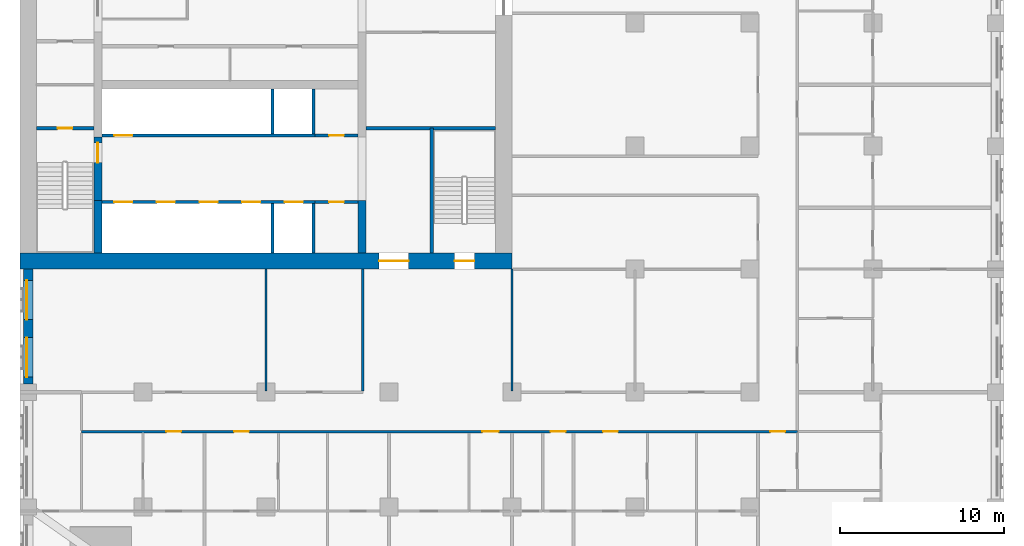
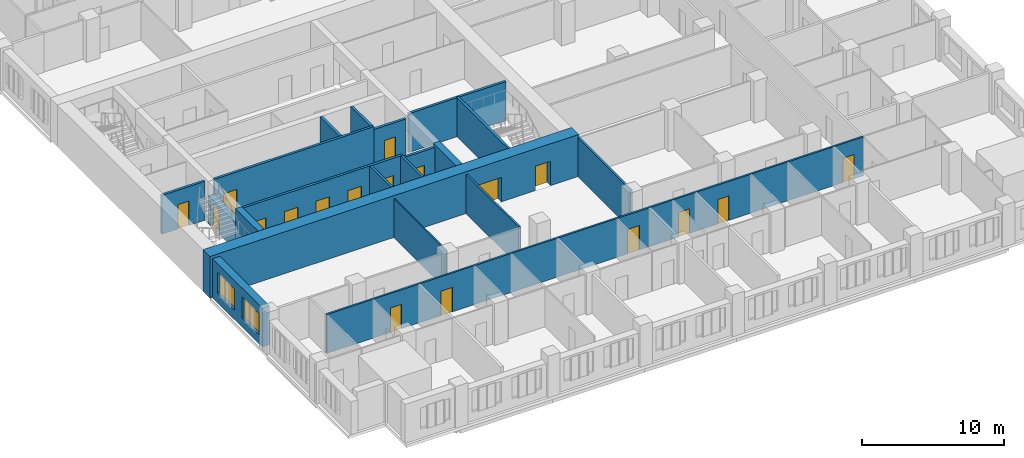
# One storey, part 5 of 14: 20 walls, 18 doors, 2 windows, 20 openings.
"""IFC4 building model written with IfcOpenShell, lengths in metres."""

from ifc_helpers import new_model, si_unit, direction, frame, frame_2d, origin, place, context, subcontext, project, spatial, rectangle, extrude, material, layer, layer_set, type_object, element, fill, save


model = new_model("IFC4")

# Units and contexts
model_context = context("Model", 3, precision=1e-05, world=origin(), true_north=direction((0.0, 1.0)))
body_context = subcontext(model_context, "Body", "Model", "MODEL_VIEW")
ifc_project = project(units=[si_unit("LENGTHUNIT", "METRE"), si_unit("AREAUNIT", "SQUARE_METRE"), si_unit("VOLUMEUNIT", "CUBIC_METRE"), si_unit("PLANEANGLEUNIT", "RADIAN"), si_unit("MASSUNIT", "GRAM", prefix="KILO")], contexts=[model_context])

# Site, building, storey
site_placement = place(None, origin())
site = spatial("IfcSite", under=ifc_project, at=site_placement, CompositionType="ELEMENT")
building_placement = place(site_placement, origin())
building = spatial("IfcBuilding", under=site, at=building_placement, Name="Tamorin Gate", CompositionType="ELEMENT")
storey_placement = place(building_placement, frame((0.0, 0.0, 79.10009765625)))
storey = spatial("IfcBuildingStorey", under=building, at=storey_placement, Name="L18", CompositionType="ELEMENT", Elevation=79.10009765625)

# Wall, openings, windows
ifc_material_1 = material(Name="Precast concrete C40/50", Category="concrete")
ifc_layer_1 = layer(ifc_material_1, 0.60009765625)
ifc_layer_set_1 = layer_set([ifc_layer_1], Name="Precast concrete C40/50")
wall_type_1 = type_object("IfcWallType", Name="Board-marked concrete facade panel 600", PredefinedType="SOLIDWALL", material=ifc_layer_set_1)
wall_1_placement = place(storey_placement, frame((30.5, 60.0, 0.0), z_axis=(0.0, 0.0, 1.0), x_axis=(0.0, -1.0, 0.0)))
wall_1 = element("IfcWall", 1, at=wall_1_placement, inside=storey, type_object=wall_type_1, Name="Facade panel", PredefinedType="SOLIDWALL", context=body_context, shape_type="SweptSolid", body=[
    extrude(rectangle(XDim=7.0, YDim=0.60009765625, at=frame_2d((3.5, 0.0))), origin(), (0.0, 0.0, 1.0), 3.349853515625),
])
opening_1_placement = place(wall_1_placement, frame((4.175048828125, 0.0, 0.800048828125)))
opening_1 = element("IfcOpeningElement", 2, at=opening_1_placement, cuts=wall_1, Name="Opening WN1", PredefinedType="OPENING", context=body_context, shape_type="SweptSolid", body=[
    extrude(rectangle(XDim=2.39990234375, YDim=1.800048828125, at=frame_2d((1.199951171875, 0.89990234375))), frame((0.0, 0.31005859375, 0.0), z_axis=(0.0, -1.0, 0.0), x_axis=(1.0, 0.0, 0.0)), (0.0, 0.0, 1.0), 0.6201171875),
])
opening_2_placement = place(wall_1_placement, frame((0.675048828125, 0.0, 0.800048828125)))
opening_2 = element("IfcOpeningElement", 3, at=opening_2_placement, cuts=wall_1, Name="Opening WN1", PredefinedType="OPENING", context=body_context, shape_type="SweptSolid", body=[
    extrude(rectangle(XDim=2.39990234375, YDim=1.800048828125, at=frame_2d((1.199951171875, 0.89990234375))), frame((0.0, 0.31005859375, 0.0), z_axis=(0.0, -1.0, 0.0), x_axis=(1.0, 0.0, 0.0)), (0.0, 0.0, 1.0), 0.6201171875),
])
ifc_material_2 = material(Name="Clear glass in aluminium frame", Category="aluminium")
window_type = type_object("IfcWindowType", Name="Deep-set window 2400x1800", PartitioningType="SINGLE_PANEL", PredefinedType="WINDOW", material=ifc_material_2)
window_1_placement = place(opening_1_placement, origin())
window_1 = element("IfcWindow", 4, at=window_1_placement, inside=storey, type_object=window_type, Name="Deep-set window", OverallHeight=1.800048828125, OverallWidth=2.39990234375, PartitioningType="SINGLE_PANEL", PredefinedType="WINDOW", context=body_context, shape_type="SweptSolid", body=[
    extrude(rectangle(XDim=2.39990234375, YDim=1.800048828125, at=frame_2d((1.199951171875, 0.89990234375))), frame((0.0, -0.070068359375, 0.0), z_axis=(0.0, -1.0, 0.0), x_axis=(1.0, 0.0, 0.0)), (0.0, 0.0, 1.0), 0.06005859375),
])
fill(opening_1, window_1)
window_2_placement = place(opening_2_placement, origin())
window_2 = element("IfcWindow", 5, at=window_2_placement, inside=storey, type_object=window_type, Name="Deep-set window", OverallHeight=1.800048828125, OverallWidth=2.39990234375, PartitioningType="SINGLE_PANEL", PredefinedType="WINDOW", context=body_context, shape_type="SweptSolid", body=[
    extrude(rectangle(XDim=2.39990234375, YDim=1.800048828125, at=frame_2d((1.199951171875, 0.89990234375))), frame((0.0, -0.070068359375, 0.0), z_axis=(0.0, -1.0, 0.0), x_axis=(1.0, 0.0, 0.0)), (0.0, 0.0, 1.0), 0.06005859375),
])
fill(opening_2, window_2)

# Wall, openings, doors
ifc_material_3 = material(Name="Gypsum board partition")
ifc_layer_2 = layer(ifc_material_3, 0.14990234375)
ifc_layer_set_2 = layer_set([ifc_layer_2], Name="Corridor wall 150")
wall_type_2 = type_object("IfcWallType", Name="Corridor wall 150", PredefinedType="PARTITIONING", material=ifc_layer_set_2)
wall_2_placement = place(storey_placement, frame((33.75, 50.10009765625, 0.0), z_axis=(0.0, 0.0, 1.0), x_axis=(1.0, 0.0, 0.0)))
wall_2 = element("IfcWall", 6, at=wall_2_placement, inside=storey, type_object=wall_type_2, Name="Corridor wall 150", PredefinedType="PARTITIONING", context=body_context, shape_type="SweptSolid", body=[
    extrude(rectangle(XDim=43.64990234375, YDim=0.14990234375, at=frame_2d((21.824951171875, 0.0))), origin(), (0.0, 0.0, 1.0), 3.349853515625),
])
opening_3_placement = place(wall_2_placement, frame((5.175048828125, 0.0, 0.0)))
opening_3 = element("IfcOpeningElement", 7, at=opening_3_placement, cuts=wall_2, Name="Opening DH5003", PredefinedType="OPENING", context=body_context, shape_type="SweptSolid", body=[
    extrude(rectangle(XDim=0.89990234375, YDim=2.10009765625, at=frame_2d((0.449951171875, 1.050048828125))), frame((0.0, 0.0849609375, 0.0), z_axis=(0.0, -1.0, 0.0), x_axis=(1.0, 0.0, 0.0)), (0.0, 0.0, 1.0), 0.169921875),
])
opening_4_placement = place(wall_2_placement, frame((9.300048828125, 0.0, 0.0)))
opening_4 = element("IfcOpeningElement", 8, at=opening_4_placement, cuts=wall_2, Name="Opening DH5005", PredefinedType="OPENING", context=body_context, shape_type="SweptSolid", body=[
    extrude(rectangle(XDim=0.89990234375, YDim=2.10009765625, at=frame_2d((0.449951171875, 1.050048828125))), frame((0.0, 0.0849609375, 0.0), z_axis=(0.0, -1.0, 0.0), x_axis=(1.0, 0.0, 0.0)), (0.0, 0.0, 1.0), 0.169921875),
])
opening_5_placement = place(wall_2_placement, frame((24.4375, 0.0, 0.0)))
opening_5 = element("IfcOpeningElement", 9, at=opening_5_placement, cuts=wall_2, Name="Opening DH5011", PredefinedType="OPENING", context=body_context, shape_type="SweptSolid", body=[
    extrude(rectangle(XDim=1.0, YDim=2.10009765625, at=frame_2d((0.5, 1.050048828125))), frame((0.0, 0.0849609375, 0.0), z_axis=(0.0, -1.0, 0.0), x_axis=(1.0, 0.0, 0.0)), (0.0, 0.0, 1.0), 0.169921875),
])
opening_6_placement = place(wall_2_placement, frame((28.612548828125, 0.0, 0.0)))
opening_6 = element("IfcOpeningElement", 10, at=opening_6_placement, cuts=wall_2, Name="Opening DH5014", PredefinedType="OPENING", context=body_context, shape_type="SweptSolid", body=[
    extrude(rectangle(XDim=0.89990234375, YDim=2.10009765625, at=frame_2d((0.449951171875, 1.050048828125))), frame((0.0, 0.0849609375, 0.0), z_axis=(0.0, -1.0, 0.0), x_axis=(1.0, 0.0, 0.0)), (0.0, 0.0, 1.0), 0.169921875),
])
opening_7_placement = place(wall_2_placement, frame((31.800048828125, 0.0, 0.0)))
opening_7 = element("IfcOpeningElement", 11, at=opening_7_placement, cuts=wall_2, Name="Opening DH5016", PredefinedType="OPENING", context=body_context, shape_type="SweptSolid", body=[
    extrude(rectangle(XDim=0.89990234375, YDim=2.10009765625, at=frame_2d((0.449951171875, 1.050048828125))), frame((0.0, 0.0849609375, 0.0), z_axis=(0.0, -1.0, 0.0), x_axis=(1.0, 0.0, 0.0)), (0.0, 0.0, 1.0), 0.169921875),
])
opening_8_placement = place(wall_2_placement, frame((42.0, 0.0, 0.0)))
opening_8 = element("IfcOpeningElement", 12, at=opening_8_placement, cuts=wall_2, Name="Opening DH5060", PredefinedType="OPENING", context=body_context, shape_type="SweptSolid", body=[
    extrude(rectangle(XDim=0.89990234375, YDim=2.10009765625, at=frame_2d((0.449951171875, 1.050048828125))), frame((0.0, 0.0849609375, 0.0), z_axis=(0.0, -1.0, 0.0), x_axis=(1.0, 0.0, 0.0)), (0.0, 0.0, 1.0), 0.169921875),
])
ifc_material_4 = material(Name="Timber door leaf", Category="wood")
door_type_1 = type_object("IfcDoorType", Name="Door 1000 x 2100 FD30S", OperationType="NOTDEFINED", PredefinedType="DOOR", material=ifc_material_4)
door_1_placement = place(opening_5_placement, origin())
door_1 = element("IfcDoor", 13, at=door_1_placement, inside=storey, type_object=door_type_1, Name="Door DH5011", OperationType="SINGLE_SWING_RIGHT", OverallHeight=2.10009765625, OverallWidth=1.0, PredefinedType="DOOR", context=body_context, shape_type="SweptSolid", body=[
    extrude(rectangle(XDim=1.0, YDim=2.10009765625, at=frame_2d((0.5, 1.050048828125))), frame((0.0, 0.02490234375, 0.0), z_axis=(0.0, -1.0, 0.0), x_axis=(1.0, 0.0, 0.0)), (0.0, 0.0, 1.0), 0.050048828125),
])
fill(opening_5, door_1)
door_type_2 = type_object("IfcDoorType", Name="Door 900 x 2100 FD30S", OperationType="NOTDEFINED", PredefinedType="DOOR", material=ifc_material_4)
door_2_placement = place(opening_3_placement, origin())
door_2 = element("IfcDoor", 14, at=door_2_placement, inside=storey, type_object=door_type_2, Name="Door DH5003", OperationType="SINGLE_SWING_RIGHT", OverallHeight=2.10009765625, OverallWidth=0.89990234375, PredefinedType="DOOR", context=body_context, shape_type="SweptSolid", body=[
    extrude(rectangle(XDim=0.89990234375, YDim=2.10009765625, at=frame_2d((0.449951171875, 1.050048828125))), frame((0.0, 0.02490234375, 0.0), z_axis=(0.0, -1.0, 0.0), x_axis=(1.0, 0.0, 0.0)), (0.0, 0.0, 1.0), 0.050048828125),
])
fill(opening_3, door_2)
door_3_placement = place(opening_4_placement, origin())
door_3 = element("IfcDoor", 15, at=door_3_placement, inside=storey, type_object=door_type_2, Name="Door DH5005", OperationType="SINGLE_SWING_RIGHT", OverallHeight=2.10009765625, OverallWidth=0.89990234375, PredefinedType="DOOR", context=body_context, shape_type="SweptSolid", body=[
    extrude(rectangle(XDim=0.89990234375, YDim=2.10009765625, at=frame_2d((0.449951171875, 1.050048828125))), frame((0.0, 0.02490234375, 0.0), z_axis=(0.0, -1.0, 0.0), x_axis=(1.0, 0.0, 0.0)), (0.0, 0.0, 1.0), 0.050048828125),
])
fill(opening_4, door_3)
door_4_placement = place(opening_6_placement, origin())
door_4 = element("IfcDoor", 16, at=door_4_placement, inside=storey, type_object=door_type_2, Name="Door DH5014", OperationType="SINGLE_SWING_RIGHT", OverallHeight=2.10009765625, OverallWidth=0.89990234375, PredefinedType="DOOR", context=body_context, shape_type="SweptSolid", body=[
    extrude(rectangle(XDim=0.89990234375, YDim=2.10009765625, at=frame_2d((0.449951171875, 1.050048828125))), frame((0.0, 0.02490234375, 0.0), z_axis=(0.0, -1.0, 0.0), x_axis=(1.0, 0.0, 0.0)), (0.0, 0.0, 1.0), 0.050048828125),
])
fill(opening_6, door_4)
door_5_placement = place(opening_7_placement, origin())
door_5 = element("IfcDoor", 17, at=door_5_placement, inside=storey, type_object=door_type_2, Name="Door DH5016", OperationType="SINGLE_SWING_RIGHT", OverallHeight=2.10009765625, OverallWidth=0.89990234375, PredefinedType="DOOR", context=body_context, shape_type="SweptSolid", body=[
    extrude(rectangle(XDim=0.89990234375, YDim=2.10009765625, at=frame_2d((0.449951171875, 1.050048828125))), frame((0.0, 0.02490234375, 0.0), z_axis=(0.0, -1.0, 0.0), x_axis=(1.0, 0.0, 0.0)), (0.0, 0.0, 1.0), 0.050048828125),
])
fill(opening_7, door_5)
door_6_placement = place(opening_8_placement, origin())
door_6 = element("IfcDoor", 18, at=door_6_placement, inside=storey, type_object=door_type_2, Name="Door DH5060", OperationType="SINGLE_SWING_LEFT", OverallHeight=2.10009765625, OverallWidth=0.89990234375, PredefinedType="DOOR", context=body_context, shape_type="SweptSolid", body=[
    extrude(rectangle(XDim=0.89990234375, YDim=2.10009765625, at=frame_2d((0.449951171875, 1.050048828125))), frame((0.0, 0.02490234375, 0.0), z_axis=(0.0, -1.0, 0.0), x_axis=(1.0, 0.0, 0.0)), (0.0, 0.0, 1.0), 0.050048828125),
])
fill(opening_8, door_6)

ifc_material_5 = material(Name="Concrete C32/40", Category="concrete")
ifc_layer_3 = layer(ifc_material_5, 0.199951171875)
ifc_layer_set_3 = layer_set([ifc_layer_3], Name="Lift lobby face wall 200 EI 120")
wall_type_3 = type_object("IfcWallType", Name="Lift lobby face wall 200 EI 120", PredefinedType="SOLIDWALL", material=ifc_layer_set_3)
wall_3_placement = place(storey_placement, frame((35.0, 64.10009765625, 0.0), z_axis=(0.0, 0.0, 1.0), x_axis=(1.0, 0.0, 0.0)))
wall_3 = element("IfcWall", 19, at=wall_3_placement, inside=storey, type_object=wall_type_3, Name="Lift lobby face wall", PredefinedType="SOLIDWALL", context=body_context, shape_type="SweptSolid", body=[
    extrude(rectangle(XDim=13.0, YDim=0.199951171875, at=frame_2d((6.5, 0.0))), origin(), (0.0, 0.0, 1.0), 3.599853515625),
])
opening_9_placement = place(wall_3_placement, frame((0.75, 0.0, 0.0)))
opening_9 = element("IfcOpeningElement", 20, at=opening_9_placement, cuts=wall_3, Name="Opening LD1", PredefinedType="OPENING", context=body_context, shape_type="SweptSolid", body=[
    extrude(rectangle(XDim=1.10009765625, YDim=2.10009765625, at=frame_2d((0.550048828125, 1.050048828125))), frame((0.0, 0.10986328125, 0.0), z_axis=(0.0, -1.0, 0.0), x_axis=(1.0, 0.0, 0.0)), (0.0, 0.0, 1.0), 0.219970703125),
])
opening_10_placement = place(wall_3_placement, frame((3.35009765625, 0.0, 0.0)))
opening_10 = element("IfcOpeningElement", 21, at=opening_10_placement, cuts=wall_3, Name="Opening LD2", PredefinedType="OPENING", context=body_context, shape_type="SweptSolid", body=[
    extrude(rectangle(XDim=1.10009765625, YDim=2.10009765625, at=frame_2d((0.550048828125, 1.050048828125))), frame((0.0, 0.10986328125, 0.0), z_axis=(0.0, -1.0, 0.0), x_axis=(1.0, 0.0, 0.0)), (0.0, 0.0, 1.0), 0.219970703125),
])
opening_11_placement = place(wall_3_placement, frame((5.949951171875, 0.0, 0.0)))
opening_11 = element("IfcOpeningElement", 22, at=opening_11_placement, cuts=wall_3, Name="Opening LD3", PredefinedType="OPENING", context=body_context, shape_type="SweptSolid", body=[
    extrude(rectangle(XDim=1.10009765625, YDim=2.10009765625, at=frame_2d((0.550048828125, 1.050048828125))), frame((0.0, 0.10986328125, 0.0), z_axis=(0.0, -1.0, 0.0), x_axis=(1.0, 0.0, 0.0)), (0.0, 0.0, 1.0), 0.219970703125),
])
opening_12_placement = place(wall_3_placement, frame((8.550048828125, 0.0, 0.0)))
opening_12 = element("IfcOpeningElement", 23, at=opening_12_placement, cuts=wall_3, Name="Opening LD4", PredefinedType="OPENING", context=body_context, shape_type="SweptSolid", body=[
    extrude(rectangle(XDim=1.10009765625, YDim=2.10009765625, at=frame_2d((0.550048828125, 1.050048828125))), frame((0.0, 0.10986328125, 0.0), z_axis=(0.0, -1.0, 0.0), x_axis=(1.0, 0.0, 0.0)), (0.0, 0.0, 1.0), 0.219970703125),
])
opening_13_placement = place(wall_3_placement, frame((11.14990234375, 0.0, 0.0)))
opening_13 = element("IfcOpeningElement", 24, at=opening_13_placement, cuts=wall_3, Name="Opening LD5", PredefinedType="OPENING", context=body_context, shape_type="SweptSolid", body=[
    extrude(rectangle(XDim=1.10009765625, YDim=2.10009765625, at=frame_2d((0.550048828125, 1.050048828125))), frame((0.0, 0.10986328125, 0.0), z_axis=(0.0, -1.0, 0.0), x_axis=(1.0, 0.0, 0.0)), (0.0, 0.0, 1.0), 0.219970703125),
])
ifc_material_6 = material(Name="Stainless steel sliding door", Category="steel")
door_type_3 = type_object("IfcDoorType", Name="Lift landing door 1100 x 2100 E 90", OperationType="DOUBLE_DOOR_SLIDING", PredefinedType="DOOR", material=ifc_material_6)
door_7_placement = place(opening_9_placement, origin())
door_7 = element("IfcDoor", 25, at=door_7_placement, inside=storey, type_object=door_type_3, Name="LR1 landing door", OperationType="DOUBLE_DOOR_SLIDING", OverallHeight=2.10009765625, OverallWidth=1.10009765625, PredefinedType="DOOR", context=body_context, shape_type="SweptSolid", body=[
    extrude(rectangle(XDim=1.10009765625, YDim=2.10009765625, at=frame_2d((0.550048828125, 1.050048828125))), frame((0.0, 0.02490234375, 0.0), z_axis=(0.0, -1.0, 0.0), x_axis=(1.0, 0.0, 0.0)), (0.0, 0.0, 1.0), 0.050048828125),
])
fill(opening_9, door_7)
door_8_placement = place(opening_10_placement, origin())
door_8 = element("IfcDoor", 26, at=door_8_placement, inside=storey, type_object=door_type_3, Name="LR2 landing door", OperationType="DOUBLE_DOOR_SLIDING", OverallHeight=2.10009765625, OverallWidth=1.10009765625, PredefinedType="DOOR", context=body_context, shape_type="SweptSolid", body=[
    extrude(rectangle(XDim=1.10009765625, YDim=2.10009765625, at=frame_2d((0.550048828125, 1.050048828125))), frame((0.0, 0.02490234375, 0.0), z_axis=(0.0, -1.0, 0.0), x_axis=(1.0, 0.0, 0.0)), (0.0, 0.0, 1.0), 0.050048828125),
])
fill(opening_10, door_8)
door_9_placement = place(opening_11_placement, origin())
door_9 = element("IfcDoor", 27, at=door_9_placement, inside=storey, type_object=door_type_3, Name="LR3 landing door", OperationType="DOUBLE_DOOR_SLIDING", OverallHeight=2.10009765625, OverallWidth=1.10009765625, PredefinedType="DOOR", context=body_context, shape_type="SweptSolid", body=[
    extrude(rectangle(XDim=1.10009765625, YDim=2.10009765625, at=frame_2d((0.550048828125, 1.050048828125))), frame((0.0, 0.02490234375, 0.0), z_axis=(0.0, -1.0, 0.0), x_axis=(1.0, 0.0, 0.0)), (0.0, 0.0, 1.0), 0.050048828125),
])
fill(opening_11, door_9)
door_10_placement = place(opening_12_placement, origin())
door_10 = element("IfcDoor", 28, at=door_10_placement, inside=storey, type_object=door_type_3, Name="LR4 landing door", OperationType="DOUBLE_DOOR_SLIDING", OverallHeight=2.10009765625, OverallWidth=1.10009765625, PredefinedType="DOOR", context=body_context, shape_type="SweptSolid", body=[
    extrude(rectangle(XDim=1.10009765625, YDim=2.10009765625, at=frame_2d((0.550048828125, 1.050048828125))), frame((0.0, 0.02490234375, 0.0), z_axis=(0.0, -1.0, 0.0), x_axis=(1.0, 0.0, 0.0)), (0.0, 0.0, 1.0), 0.050048828125),
])
fill(opening_12, door_10)
door_11_placement = place(opening_13_placement, origin())
door_11 = element("IfcDoor", 29, at=door_11_placement, inside=storey, type_object=door_type_3, Name="LR5 landing door", OperationType="DOUBLE_DOOR_SLIDING", OverallHeight=2.10009765625, OverallWidth=1.10009765625, PredefinedType="DOOR", context=body_context, shape_type="SweptSolid", body=[
    extrude(rectangle(XDim=1.10009765625, YDim=2.10009765625, at=frame_2d((0.550048828125, 1.050048828125))), frame((0.0, 0.02490234375, 0.0), z_axis=(0.0, -1.0, 0.0), x_axis=(1.0, 0.0, 0.0)), (0.0, 0.0, 1.0), 0.050048828125),
])
fill(opening_13, door_11)

# Wall, opening, door
wall_4_placement = place(storey_placement, frame((35.0, 68.14990234375, 0.0), z_axis=(0.0, 0.0, 1.0), x_axis=(1.0, 0.0, 0.0)))
wall_4 = element("IfcWall", 30, at=wall_4_placement, inside=storey, type_object=wall_type_3, Name="Lift lobby face wall", PredefinedType="SOLIDWALL", context=body_context, shape_type="SweptSolid", body=[
    extrude(rectangle(XDim=13.0, YDim=0.199951171875, at=frame_2d((6.5, 0.0))), origin(), (0.0, 0.0, 1.0), 3.599853515625),
])
opening_14_placement = place(wall_4_placement, frame((0.75, 0.0, 0.0)))
opening_14 = element("IfcOpeningElement", 31, at=opening_14_placement, cuts=wall_4, Name="Opening LD6", PredefinedType="OPENING", context=body_context, shape_type="SweptSolid", body=[
    extrude(rectangle(XDim=1.10009765625, YDim=2.10009765625, at=frame_2d((0.550048828125, 1.050048828125))), frame((0.0, 0.10986328125, 0.0), z_axis=(0.0, -1.0, 0.0), x_axis=(1.0, 0.0, 0.0)), (0.0, 0.0, 1.0), 0.219970703125),
])
door_12_placement = place(opening_14_placement, origin())
door_12 = element("IfcDoor", 32, at=door_12_placement, inside=storey, type_object=door_type_3, Name="LR6 landing door", OperationType="DOUBLE_DOOR_SLIDING", OverallHeight=2.10009765625, OverallWidth=1.10009765625, PredefinedType="DOOR", context=body_context, shape_type="SweptSolid", body=[
    extrude(rectangle(XDim=1.10009765625, YDim=2.10009765625, at=frame_2d((0.550048828125, 1.050048828125))), frame((0.0, 0.02490234375, 0.0), z_axis=(0.0, -1.0, 0.0), x_axis=(1.0, 0.0, 0.0)), (0.0, 0.0, 1.0), 0.050048828125),
])
fill(opening_14, door_12)

# Walls
ifc_layer_4 = layer(ifc_material_5, 0.199951171875)
ifc_layer_set_4 = layer_set([ifc_layer_4], Name="Lift shaft wall 200 EI 120")
wall_type_4 = type_object("IfcWallType", Name="Lift shaft wall 200 EI 120", PredefinedType="SOLIDWALL", material=ifc_layer_set_4)
for number, where, z_axis, x_axis, name in (
    (33, (45.39990234375, 61.0, 0.0), (0.0, 0.0, 1.0), (0.0, 1.0, 0.0), "Lift shaft wall"),
    (34, (47.89990234375, 61.0, 0.0), (0.0, 0.0, 1.0), (0.0, 1.0, 0.0), "Lift shaft wall"),
):
    element("IfcWall", number, at=place(storey_placement, frame(where, z_axis=z_axis, x_axis=x_axis)), inside=storey, type_object=wall_type_4, Name=name, PredefinedType="SOLIDWALL", context=body_context, shape_type="SweptSolid", body=[
        extrude(rectangle(XDim=3.0, YDim=0.199951171875, at=frame_2d((1.5, 0.0))), origin(), (0.0, 0.0, 1.0), 3.599853515625),
    ])
for number, where, z_axis, x_axis, name in (
    (35, (45.39990234375, 68.25, 0.0), (0.0, 0.0, 1.0), (0.0, 1.0, 0.0), "Lift shaft wall"),
    (36, (47.89990234375, 68.25, 0.0), (0.0, 0.0, 1.0), (0.0, 1.0, 0.0), "Lift shaft wall"),
):
    element("IfcWall", number, at=place(storey_placement, frame(where, z_axis=z_axis, x_axis=x_axis)), inside=storey, type_object=wall_type_4, Name=name, PredefinedType="SOLIDWALL", context=body_context, shape_type="SweptSolid", body=[
        extrude(rectangle(XDim=2.75, YDim=0.199951171875, at=frame_2d((1.375, 0.0))), origin(), (0.0, 0.0, 1.0), 3.599853515625),
    ])
ifc_layer_5 = layer(ifc_material_3, 0.14990234375)
ifc_layer_set_5 = layer_set([ifc_layer_5], Name="Lobby wall 150")
wall_type_5 = type_object("IfcWallType", Name="Lobby wall 150", PredefinedType="PARTITIONING", material=ifc_layer_set_5)
for number, where, z_axis, x_axis, name in (
    (37, (50.89990234375, 52.574951171875, 0.0), (0.0, 0.0, 1.0), (0.0, 1.0, 0.0), "Lobby wall 150"),
    (38, (60.0, 52.574951171875, 0.0), (0.0, 0.0, 1.0), (0.0, 1.0, 0.0), "Lobby wall 150"),
):
    element("IfcWall", number, at=place(storey_placement, frame(where, z_axis=z_axis, x_axis=x_axis)), inside=storey, type_object=wall_type_5, Name=name, PredefinedType="PARTITIONING", context=body_context, shape_type="SweptSolid", body=[
        extrude(rectangle(XDim=7.425048828125, YDim=0.14990234375, at=frame_2d((3.71240234375, 0.0))), origin(), (0.0, 0.0, 1.0), 3.349853515625),
    ])
ifc_material_7 = material(Name="Concrete C80/95", Category="concrete")
ifc_layer_6 = layer(ifc_material_7, 0.5)
ifc_layer_set_6 = layer_set([ifc_layer_6], Name="RC core internal wall 500 C80/95")
wall_type_6 = type_object("IfcWallType", Name="RC core internal wall 500 C80/95", PredefinedType="SHEAR", material=ifc_layer_set_6)
for number, where, z_axis, x_axis, name in (
    (39, (34.75, 61.0, 0.0), (0.0, 0.0, 1.0), (0.0, 1.0, 0.0), "Core cross wall L18"),
    (40, (50.85009765625, 61.0, 0.0), (0.0, 0.0, 1.0), (0.0, 1.0, 0.0), "Core cross wall L18"),
):
    element("IfcWall", number, at=place(storey_placement, frame(where, z_axis=z_axis, x_axis=x_axis)), inside=storey, type_object=wall_type_6, Name=name, PredefinedType="SHEAR", context=body_context, shape_type="SweptSolid", body=[
        extrude(rectangle(XDim=3.199951171875, YDim=0.5, at=frame_2d((1.60009765625, 0.0))), origin(), (0.0, 0.0, 1.0), 3.599853515625),
    ])

# Wall, openings, doors
ifc_layer_7 = layer(ifc_material_7, 1.0)
ifc_layer_set_7 = layer_set([ifc_layer_7], Name="RC core wall 1000 C80/95")
wall_type_7 = type_object("IfcWallType", Name="RC core wall 1000 C80/95", PredefinedType="SHEAR", material=ifc_layer_set_7)
wall_5_placement = place(storey_placement, frame((30.0, 60.5, 0.0), z_axis=(0.0, 0.0, 1.0), x_axis=(1.0, 0.0, 0.0)))
wall_5 = element("IfcWall", 41, at=wall_5_placement, inside=storey, type_object=wall_type_7, Name="Core wall L18", PredefinedType="SHEAR", context=body_context, shape_type="SweptSolid", body=[
    extrude(rectangle(XDim=30.0, YDim=1.0, at=frame_2d((15.0, 0.0))), origin(), (0.0, 0.0, 1.0), 3.599853515625),
])
opening_15_placement = place(wall_5_placement, frame((21.89990234375, 0.0, 0.0)))
opening_15 = element("IfcOpeningElement", 42, at=opening_15_placement, cuts=wall_5, Name="Opening DE1", PredefinedType="OPENING", context=body_context, shape_type="SweptSolid", body=[
    extrude(rectangle(XDim=1.800048828125, YDim=2.10009765625, at=frame_2d((0.89990234375, 1.050048828125))), frame((0.0, 0.510009765625, 0.0), z_axis=(0.0, -1.0, 0.0), x_axis=(1.0, 0.0, 0.0)), (0.0, 0.0, 1.0), 1.02001953125),
])
opening_16_placement = place(wall_5_placement, frame((26.5, 0.0, 0.0)))
opening_16 = element("IfcOpeningElement", 43, at=opening_16_placement, cuts=wall_5, Name="Opening DS1", PredefinedType="OPENING", context=body_context, shape_type="SweptSolid", body=[
    extrude(rectangle(XDim=1.199951171875, YDim=2.10009765625, at=frame_2d((0.60009765625, 1.050048828125))), frame((0.0, 0.510009765625, 0.0), z_axis=(0.0, -1.0, 0.0), x_axis=(1.0, 0.0, 0.0)), (0.0, 0.0, 1.0), 1.02001953125),
])
ifc_material_8 = material(Name="Steel fire door", Category="steel")
door_type_4 = type_object("IfcDoorType", Name="Lobby exit double door 1800 x 2100 EI 60", OperationType="DOUBLE_DOOR_SINGLE_SWING", PredefinedType="DOOR", material=ifc_material_8)
door_13_placement = place(opening_15_placement, origin())
door_13 = element("IfcDoor", 44, at=door_13_placement, inside=storey, type_object=door_type_4, Name="Lift lobby A exit door", OperationType="DOUBLE_DOOR_SINGLE_SWING", OverallHeight=2.10009765625, OverallWidth=1.800048828125, PredefinedType="DOOR", context=body_context, shape_type="SweptSolid", body=[
    extrude(rectangle(XDim=1.800048828125, YDim=2.10009765625, at=frame_2d((0.89990234375, 1.050048828125))), frame((0.0, 0.02490234375, 0.0), z_axis=(0.0, -1.0, 0.0), x_axis=(1.0, 0.0, 0.0)), (0.0, 0.0, 1.0), 0.050048828125),
])
fill(opening_15, door_13)
door_type_5 = type_object("IfcDoorType", Name="Stair door 1200 x 2100 EI 90", OperationType="SINGLE_SWING_LEFT", PredefinedType="DOOR", material=ifc_material_8)
door_14_placement = place(opening_16_placement, origin())
door_14 = element("IfcDoor", 45, at=door_14_placement, inside=storey, type_object=door_type_5, Name="ST3 door", OperationType="SINGLE_SWING_LEFT", OverallHeight=2.10009765625, OverallWidth=1.199951171875, PredefinedType="DOOR", context=body_context, shape_type="SweptSolid", body=[
    extrude(rectangle(XDim=1.199951171875, YDim=2.10009765625, at=frame_2d((0.60009765625, 1.050048828125))), frame((0.0, 0.02490234375, 0.0), z_axis=(0.0, -1.0, 0.0), x_axis=(1.0, 0.0, 0.0)), (0.0, 0.0, 1.0), 0.050048828125),
])
fill(opening_16, door_14)

# Wall
ifc_layer_8 = layer(ifc_material_3, 0.10009765625)
ifc_layer_set_8 = layer_set([ifc_layer_8], Name="Room partition 100")
wall_type_8 = type_object("IfcWallType", Name="Room partition 100", PredefinedType="PARTITIONING", material=ifc_layer_set_8)
wall_6_placement = place(storey_placement, frame((45.0, 52.574951171875, 0.0), z_axis=(0.0, 0.0, 1.0), x_axis=(0.0, 1.0, 0.0)))
element("IfcWall", 46, at=wall_6_placement, inside=storey, type_object=wall_type_8, Name="Room partition 100", PredefinedType="PARTITIONING", context=body_context, shape_type="SweptSolid", body=[
    extrude(rectangle(XDim=7.425048828125, YDim=0.10009765625, at=frame_2d((3.71240234375, 0.0))), origin(), (0.0, 0.0, 1.0), 3.349853515625),
])

# Wall, opening, door
ifc_layer_9 = layer(ifc_material_3, 0.199951171875)
ifc_layer_set_9 = layer_set([ifc_layer_9], Name="Service room face wall 200 EI 60")
wall_type_9 = type_object("IfcWallType", Name="Service room face wall 200 EI 60", PredefinedType="PARTITIONING", material=ifc_layer_set_9)
wall_7_placement = place(storey_placement, frame((48.0, 64.10009765625, 0.0), z_axis=(0.0, 0.0, 1.0), x_axis=(1.0, 0.0, 0.0)))
wall_7 = element("IfcWall", 47, at=wall_7_placement, inside=storey, type_object=wall_type_9, Name="Service room face wall", PredefinedType="PARTITIONING", context=body_context, shape_type="SweptSolid", body=[
    extrude(rectangle(XDim=2.60009765625, YDim=0.199951171875, at=frame_2d((1.300048828125, 0.0))), origin(), (0.0, 0.0, 1.0), 3.349853515625),
])
opening_17_placement = place(wall_7_placement, frame((0.85009765625, 0.0, 0.0)))
opening_17 = element("IfcOpeningElement", 48, at=opening_17_placement, cuts=wall_7, Name="Opening DK1", PredefinedType="OPENING", context=body_context, shape_type="SweptSolid", body=[
    extrude(rectangle(XDim=0.89990234375, YDim=2.10009765625, at=frame_2d((0.449951171875, 1.050048828125))), frame((0.0, 0.10986328125, 0.0), z_axis=(0.0, -1.0, 0.0), x_axis=(1.0, 0.0, 0.0)), (0.0, 0.0, 1.0), 0.219970703125),
])
ifc_material_9 = material(Name="Timber fire door", Category="wood")
door_type_6 = type_object("IfcDoorType", Name="Service room door 900 x 2100 EI 60", OperationType="SINGLE_SWING_LEFT", PredefinedType="DOOR", material=ifc_material_9)
door_15_placement = place(opening_17_placement, origin())
door_15 = element("IfcDoor", 49, at=door_15_placement, inside=storey, type_object=door_type_6, Name="Door Pantry", OperationType="SINGLE_SWING_RIGHT", OverallHeight=2.10009765625, OverallWidth=0.89990234375, PredefinedType="DOOR", context=body_context, shape_type="SweptSolid", body=[
    extrude(rectangle(XDim=0.89990234375, YDim=2.10009765625, at=frame_2d((0.449951171875, 1.050048828125))), frame((0.0, 0.02490234375, 0.0), z_axis=(0.0, -1.0, 0.0), x_axis=(1.0, 0.0, 0.0)), (0.0, 0.0, 1.0), 0.050048828125),
])
fill(opening_17, door_15)

wall_8_placement = place(storey_placement, frame((48.0, 68.14990234375, 0.0), z_axis=(0.0, 0.0, 1.0), x_axis=(1.0, 0.0, 0.0)))
wall_8 = element("IfcWall", 50, at=wall_8_placement, inside=storey, type_object=wall_type_9, Name="Service room face wall", PredefinedType="PARTITIONING", context=body_context, shape_type="SweptSolid", body=[
    extrude(rectangle(XDim=2.60009765625, YDim=0.199951171875, at=frame_2d((1.300048828125, 0.0))), origin(), (0.0, 0.0, 1.0), 3.349853515625),
])
opening_18_placement = place(wall_8_placement, frame((0.85009765625, 0.0, 0.0)))
opening_18 = element("IfcOpeningElement", 51, at=opening_18_placement, cuts=wall_8, Name="Opening DK1", PredefinedType="OPENING", context=body_context, shape_type="SweptSolid", body=[
    extrude(rectangle(XDim=0.89990234375, YDim=2.10009765625, at=frame_2d((0.449951171875, 1.050048828125))), frame((0.0, 0.10986328125, 0.0), z_axis=(0.0, -1.0, 0.0), x_axis=(1.0, 0.0, 0.0)), (0.0, 0.0, 1.0), 0.219970703125),
])
door_16_placement = place(opening_18_placement, origin())
door_16 = element("IfcDoor", 52, at=door_16_placement, inside=storey, type_object=door_type_6, Name="Door Housekeeping store", OperationType="SINGLE_SWING_RIGHT", OverallHeight=2.10009765625, OverallWidth=0.89990234375, PredefinedType="DOOR", context=body_context, shape_type="SweptSolid", body=[
    extrude(rectangle(XDim=0.89990234375, YDim=2.10009765625, at=frame_2d((0.449951171875, 1.050048828125))), frame((0.0, 0.02490234375, 0.0), z_axis=(0.0, -1.0, 0.0), x_axis=(1.0, 0.0, 0.0)), (0.0, 0.0, 1.0), 0.050048828125),
])
fill(opening_18, door_16)

ifc_material_10 = material(Name="Concrete C40/50", Category="concrete")
ifc_layer_10 = layer(ifc_material_10, 0.199951171875)
ifc_layer_set_10 = layer_set([ifc_layer_10], Name="Stair enclosure wall 200 EI 120 C40/50")
wall_type_10 = type_object("IfcWallType", Name="Stair enclosure wall 200 EI 120 C40/50", PredefinedType="SOLIDWALL", material=ifc_layer_set_10)
wall_9_placement = place(storey_placement, frame((31.0, 68.60009765625, 0.0), z_axis=(0.0, 0.0, 1.0), x_axis=(1.0, 0.0, 0.0)))
wall_9 = element("IfcWall", 53, at=wall_9_placement, inside=storey, type_object=wall_type_10, Name="Stair enclosure wall", PredefinedType="SOLIDWALL", context=body_context, shape_type="SweptSolid", body=[
    extrude(rectangle(XDim=3.5, YDim=0.199951171875, at=frame_2d((1.75, 0.0))), origin(), (0.0, 0.0, 1.0), 3.349853515625),
])
opening_19_placement = place(wall_9_placement, frame((1.300048828125, 0.0, 0.0)))
opening_19 = element("IfcOpeningElement", 54, at=opening_19_placement, cuts=wall_9, Name="Opening DR1", PredefinedType="OPENING", context=body_context, shape_type="SweptSolid", body=[
    extrude(rectangle(XDim=0.89990234375, YDim=2.10009765625, at=frame_2d((0.449951171875, 1.050048828125))), frame((0.0, 0.10986328125, 0.0), z_axis=(0.0, -1.0, 0.0), x_axis=(1.0, 0.0, 0.0)), (0.0, 0.0, 1.0), 0.219970703125),
])
door_type_7 = type_object("IfcDoorType", Name="Riser access door 900 x 2100 EI 120", OperationType="SINGLE_SWING_LEFT", PredefinedType="DOOR", material=ifc_material_8)
door_17_placement = place(opening_19_placement, origin())
door_17 = element("IfcDoor", 55, at=door_17_placement, inside=storey, type_object=door_type_7, Name="Electrical riser door", OperationType="SINGLE_SWING_LEFT", OverallHeight=2.10009765625, OverallWidth=0.89990234375, PredefinedType="DOOR", context=body_context, shape_type="SweptSolid", body=[
    extrude(rectangle(XDim=0.89990234375, YDim=2.10009765625, at=frame_2d((0.449951171875, 1.050048828125))), frame((0.0, 0.02490234375, 0.0), z_axis=(0.0, -1.0, 0.0), x_axis=(1.0, 0.0, 0.0)), (0.0, 0.0, 1.0), 0.050048828125),
])
fill(opening_19, door_17)

# Walls
wall_10_placement = place(storey_placement, frame((55.10009765625, 61.0, 0.0), z_axis=(0.0, 0.0, 1.0), x_axis=(0.0, 1.0, 0.0)))
element("IfcWall", 56, at=wall_10_placement, inside=storey, type_object=wall_type_10, Name="Stair enclosure wall", PredefinedType="SOLIDWALL", context=body_context, shape_type="SweptSolid", body=[
    extrude(rectangle(XDim=7.60009765625, YDim=0.199951171875, at=frame_2d((3.800048828125, 0.0))), origin(), (0.0, 0.0, 1.0), 3.349853515625),
])
wall_11_placement = place(storey_placement, frame((51.10009765625, 68.60009765625, 0.0), z_axis=(0.0, 0.0, 1.0), x_axis=(1.0, 0.0, 0.0)))
element("IfcWall", 57, at=wall_11_placement, inside=storey, type_object=wall_type_10, Name="Stair enclosure wall", PredefinedType="SOLIDWALL", context=body_context, shape_type="SweptSolid", body=[
    extrude(rectangle(XDim=7.89990234375, YDim=0.199951171875, at=frame_2d((3.949951171875, 0.0))), origin(), (0.0, 0.0, 1.0), 3.349853515625),
])

# Wall, opening, door
ifc_layer_11 = layer(ifc_material_5, 0.5)
ifc_layer_set_11 = layer_set([ifc_layer_11], Name="Stair lobby infill wall 500 EI 120")
wall_type_11 = type_object("IfcWallType", Name="Stair lobby infill wall 500 EI 120", PredefinedType="SOLIDWALL", material=ifc_layer_set_11)
wall_12_placement = place(storey_placement, frame((34.75, 64.199951171875, 0.0), z_axis=(0.0, 0.0, 1.0), x_axis=(0.0, 1.0, 0.0)))
wall_12 = element("IfcWall", 58, at=wall_12_placement, inside=storey, type_object=wall_type_11, Name="Stair lobby infill wall", PredefinedType="SOLIDWALL", context=body_context, shape_type="SweptSolid", body=[
    extrude(rectangle(XDim=3.85009765625, YDim=0.5, at=frame_2d((1.925048828125, 0.0))), origin(), (0.0, 0.0, 1.0), 2.39990234375),
])
opening_20_placement = place(wall_12_placement, frame((2.300048828125, 0.0, 0.0)))
opening_20 = element("IfcOpeningElement", 59, at=opening_20_placement, cuts=wall_12, Name="Opening DS1", PredefinedType="OPENING", context=body_context, shape_type="SweptSolid", body=[
    extrude(rectangle(XDim=1.199951171875, YDim=2.10009765625, at=frame_2d((0.60009765625, 1.050048828125))), frame((0.0, 0.260009765625, 0.0), z_axis=(0.0, -1.0, 0.0), x_axis=(1.0, 0.0, 0.0)), (0.0, 0.0, 1.0), 0.52001953125),
])
door_18_placement = place(opening_20_placement, origin())
door_18 = element("IfcDoor", 60, at=door_18_placement, inside=storey, type_object=door_type_5, Name="ST1 door", OperationType="SINGLE_SWING_LEFT", OverallHeight=2.10009765625, OverallWidth=1.199951171875, PredefinedType="DOOR", context=body_context, shape_type="SweptSolid", body=[
    extrude(rectangle(XDim=1.199951171875, YDim=2.10009765625, at=frame_2d((0.60009765625, 1.050048828125))), frame((0.0, 0.02490234375, 0.0), z_axis=(0.0, -1.0, 0.0), x_axis=(1.0, 0.0, 0.0)), (0.0, 0.0, 1.0), 0.050048828125),
])
fill(opening_20, door_18)

save(model, "model.ifc")
